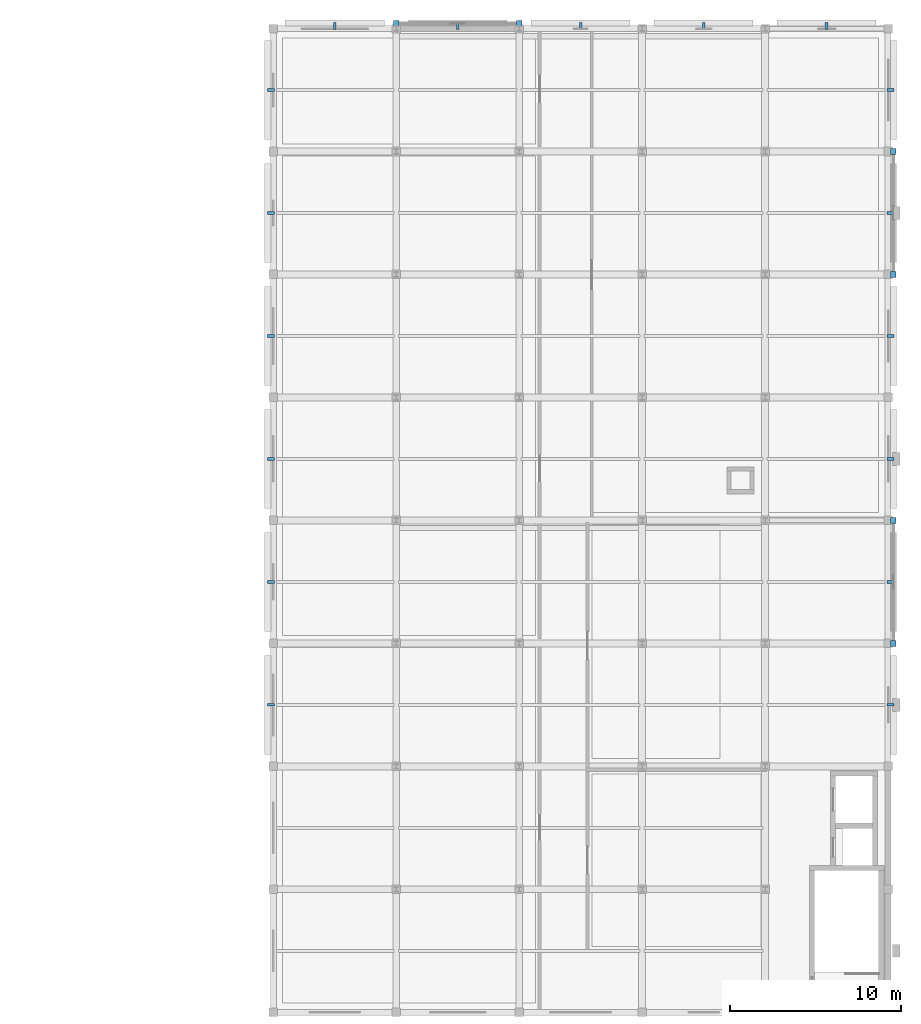
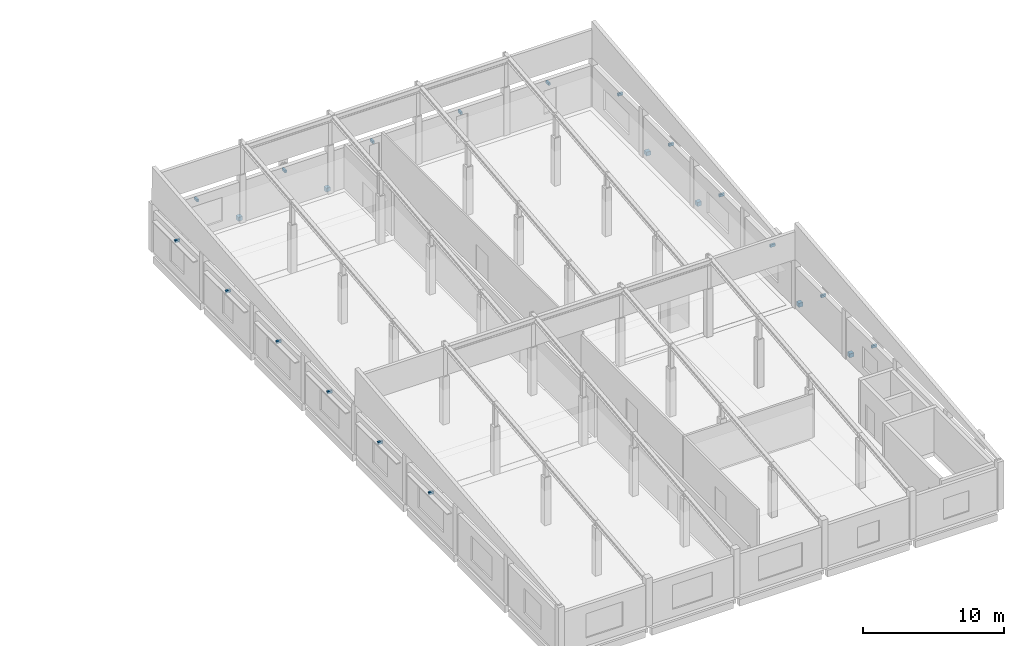
# One storey, part 29 of 33: 23 discrete accessories.
"""IFC4 building model written with IfcOpenShell, lengths in metres."""

import ifcopenshell
import ifcopenshell.guid

model = None  # the IFC model being written
_history = None  # IfcOwnerHistory: only IFC2X3 demands one
_inside = {}  # id of a spatial element -> (the spatial element, [elements in it])
_under = {}  # id of a project, library or spatial element -> (it, [spatial elements below it])
_declared = {}  # id of a project -> (the project, [libraries it declares])
_typed = {}  # id of a type object -> (the type object, [elements of that type])
_made_of = {}  # id of a material, layer set ... -> (it, [elements and type objects made of it])


def new_model(schema):
    """Start an empty IFC model of exactly this schema.

    Asked for "IFC4X3", IfcOpenShell would pick the latest addendum, in which some entities
    have other attributes; the version numbers below select the first issue.
    IFC2X3 requires an IfcOwnerHistory on every rooted entity: one is made here for all.
    """
    global model, _history
    if schema == "IFC4X3":
        model = ifcopenshell.file(schema_version=(4, 3, 0, 0))
    else:
        model = ifcopenshell.file(schema=schema)
    _inside.clear()
    _under.clear()
    _declared.clear()
    _typed.clear()
    _made_of.clear()
    _history = None
    if model.schema == "IFC2X3":
        org = make("IfcOrganization", Name="unknown")
        user = make(
            "IfcPersonAndOrganization",
            ThePerson=make("IfcPerson", FamilyName="unknown"),
            TheOrganization=org,
        )
        app = make(
            "IfcApplication",
            ApplicationDeveloper=org,
            Version="unknown",
            ApplicationFullName="unknown",
            ApplicationIdentifier="unknown",
        )
        _history = make(
            "IfcOwnerHistory",
            OwningUser=user,
            OwningApplication=app,
            ChangeAction="ADDED",
            CreationDate=0,
        )
    return model


def make(cls, **values):
    """One entity of the class cls with the attributes given. An attribute that is None is left unset."""
    return model.create_entity(
        cls, **{name: value for name, value in values.items() if value is not None}
    )


def rooted(cls, **values):
    """An entity with a GlobalId (a new one), such as an element, a storey or a relation."""
    return make(cls, GlobalId=ifcopenshell.guid.new(), OwnerHistory=_history, **values)


def si_unit(unit_type, name, prefix=None):
    """IfcSIUnit, for example si_unit("LENGTHUNIT", "METRE", prefix="MILLI")."""
    return make("IfcSIUnit", UnitType=unit_type, Prefix=prefix, Name=name)


def assignment(units):
    """IfcUnitAssignment: the units of a project."""
    return None if units is None else make("IfcUnitAssignment", Units=units)


def point(xyz):
    """IfcCartesianPoint."""
    return None if xyz is None else make("IfcCartesianPoint", Coordinates=xyz)


def direction(xyz):
    """IfcDirection."""
    return None if xyz is None else make("IfcDirection", DirectionRatios=xyz)


def frame(location, z_axis=None, x_axis=None):
    """IfcAxis2Placement3D, a coordinate frame: its origin and axes. An axis left out is left unset."""
    return make(
        "IfcAxis2Placement3D",
        Location=point(location),
        Axis=direction(z_axis),
        RefDirection=direction(x_axis),
    )


def frame_2d(location, x_axis=None):
    """IfcAxis2Placement2D, a coordinate frame in the plane: its origin and x axis."""
    return make(
        "IfcAxis2Placement2D", Location=point(location), RefDirection=direction(x_axis)
    )


def origin():
    """The frame at (0, 0, 0) with its axes left unset."""
    return frame((0.0, 0.0, 0.0))


def origin_2d():
    """The frame at (0, 0) in the plane with its x axis left unset."""
    return frame_2d((0.0, 0.0))


def place(relative_to, where):
    """IfcLocalPlacement: puts the frame where relative to a parent placement (None: the world)."""
    return make(
        "IfcLocalPlacement", PlacementRelTo=relative_to, RelativePlacement=where
    )


def context(
    kind, dimensions, precision=None, world=None, true_north=None, identifier=None
):
    """IfcGeometricRepresentationContext, for example the 3D "Model" context."""
    return make(
        "IfcGeometricRepresentationContext",
        ContextIdentifier=identifier,
        ContextType=kind,
        CoordinateSpaceDimension=dimensions,
        Precision=precision,
        WorldCoordinateSystem=world,
        TrueNorth=true_north,
    )


def subcontext(parent, identifier, kind, view, scale=None):
    """IfcGeometricRepresentationSubContext, for example "Body" below "Model"."""
    return make(
        "IfcGeometricRepresentationSubContext",
        ContextIdentifier=identifier,
        ContextType=kind,
        ParentContext=parent,
        TargetScale=scale,
        TargetView=view,
    )


def project(units=None, contexts=None):
    """IfcProject with its units and contexts."""
    return rooted(
        "IfcProject",
        Name="project",
        RepresentationContexts=contexts,
        UnitsInContext=assignment(units),
    )


def spatial(cls, under=None, at=None, **own):
    """A site, building, storey or space (cls), placed at a placement, below another one or the project."""
    s = rooted(cls, ObjectPlacement=at, **own)
    if under is not None:
        _under.setdefault(under.id(), (under, []))[1].append(s)
    return s


def profile(cls, at=None, kind="AREA", **sizes):
    """A parametric profile (cls). Its sizes go by their IFC names, for example OverallWidth=200.0."""
    return make(cls, ProfileType=kind, Position=at, **sizes)


def rectangle(**sizes):
    """IfcRectangleProfileDef."""
    return profile("IfcRectangleProfileDef", **sizes)


def extrude(swept, where, along, depth):
    """IfcExtrudedAreaSolid: the profile swept, set in the frame where, extruded along a direction by depth."""
    return make(
        "IfcExtrudedAreaSolid",
        SweptArea=swept,
        Position=where,
        ExtrudedDirection=direction(along),
        Depth=depth,
    )


def shape(context_of_items, identifier, shape_type, items):
    """IfcShapeRepresentation: the items that make up one representation, for example the "Body"."""
    return make(
        "IfcShapeRepresentation",
        ContextOfItems=context_of_items,
        RepresentationIdentifier=identifier,
        RepresentationType=shape_type,
        Items=items,
    )


def material(Name=None, Category=None):
    """IfcMaterial."""
    return make("IfcMaterial", Name=Name, Category=Category)


def made_of(thing, what):
    """Note that an element or type object is made of a material, layer set ...; save() writes the relation."""
    if what is not None:
        _made_of.setdefault(what.id(), (what, []))[1].append(thing)
    return thing


def type_object(cls, material=None, **own):
    """A type object (cls), such as IfcWallType, which elements share."""
    return made_of(rooted(cls, **own), material)


def element(
    cls,
    number,
    at=None,
    inside=None,
    cuts=None,
    type_object=None,
    material=None,
    context=None,
    identifier="Body",
    shape_type=None,
    held_by="IfcProductDefinitionShape",
    body=None,
    shapes=None,
    **own,
):
    """One element of the class cls, such as IfcWall. Its Tag is "e" and its number.

    at: its placement. inside: the storey or other place that contains it. cuts: it is an
    opening in that element (IfcRelVoidsElement). A single representation is given by context,
    identifier, shape_type and body (its items); several are given by shapes. held_by: the class
    of the entity that holds the representations. save() writes the other relations.
    """
    e = rooted(cls, Tag="e%d" % number, ObjectPlacement=at, **own)
    if body is not None:
        shapes = [shape(context, identifier, shape_type, body)]
    if shapes is not None:
        e.Representation = make(held_by, Representations=shapes)
    if inside is not None:
        _inside.setdefault(inside.id(), (inside, []))[1].append(e)
    if cuts is not None:
        rooted(
            "IfcRelVoidsElement", RelatingBuildingElement=cuts, RelatedOpeningElement=e
        )
    if type_object is not None:
        _typed.setdefault(type_object.id(), (type_object, []))[1].append(e)
    return made_of(e, material)


def aggregate(whole, parts):
    """IfcRelAggregates: a whole, such as a stair, and the parts it consists of."""
    return rooted("IfcRelAggregates", RelatingObject=whole, RelatedObjects=parts)


def save(model, path):
    """Write the relations noted so far, then the file.

    IfcRelAggregates (storeys below a building ...), IfcRelContainedInSpatialStructure (elements
    in a storey), IfcRelDefinesByType, IfcRelAssociatesMaterial and IfcRelDeclares: one each for
    every whole, place, type object, material and project.
    """
    for whole, parts in _under.values():
        aggregate(whole, parts)
    for where, things in _inside.values():
        rooted(
            "IfcRelContainedInSpatialStructure",
            RelatedElements=things,
            RelatingStructure=where,
        )
    for kind, things in _typed.values():
        rooted("IfcRelDefinesByType", RelatedObjects=things, RelatingType=kind)
    for what, things in _made_of.values():
        rooted("IfcRelAssociatesMaterial", RelatedObjects=things, RelatingMaterial=what)
    for by, libraries in _declared.values():
        rooted("IfcRelDeclares", RelatingContext=by, RelatedDefinitions=libraries)
    model.write(path)


model = new_model("IFC4")

# Units and contexts
model_context = context("Model", 3, precision=1e-05, world=origin(), true_north=direction((0.0, 1.0)))
body_context = subcontext(model_context, "Body", "Model", "MODEL_VIEW")
ifc_project = project(units=[si_unit("LENGTHUNIT", "METRE"), si_unit("AREAUNIT", "SQUARE_METRE"), si_unit("VOLUMEUNIT", "CUBIC_METRE"), si_unit("PLANEANGLEUNIT", "RADIAN"), si_unit("MASSUNIT", "GRAM", prefix="KILO")], contexts=[model_context])

# Site, building, storey
site_placement = place(None, origin())
site = spatial("IfcSite", under=ifc_project, at=site_placement, CompositionType="ELEMENT")
building_placement = place(site_placement, origin())
building = spatial("IfcBuilding", under=site, at=building_placement, Name="Valkovuoma Quantum and Materials Research Institute", CompositionType="ELEMENT")
storey_placement = place(building_placement, frame((0.0, 0.0, 25.60009765625)))
storey = spatial("IfcBuildingStorey", under=building, at=storey_placement, Name="L06", CompositionType="ELEMENT", Elevation=25.60009765625)

# Discrete accessories
ifc_material_1 = material(Name="Steel S355J2", Category="steel")
discrete_accessory_type_1 = type_object("IfcDiscreteAccessoryType", Name="Brk-BRK-01", PredefinedType="BRACKET", material=ifc_material_1)
for number, where, z_axis, x_axis, name in (
    (1, (165.739990234375, 75.60009765625, 2.93994140625), (0.0, 0.0, 1.0), (1.0, 0.0, 0.0), "L06 sunshade bracket 00722"),
    (2, (129.4599609375, 75.60009765625, 2.93994140625), (0.0, 0.0, 1.0), (1.0, 0.0, 0.0), "L06 sunshade bracket 00723"),
    (3, (165.739990234375, 82.800048828125, 2.93994140625), (0.0, 0.0, 1.0), (1.0, 0.0, 0.0), "L06 sunshade bracket 00724"),
    (4, (129.4599609375, 82.800048828125, 2.93994140625), (0.0, 0.0, 1.0), (1.0, 0.0, 0.0), "L06 sunshade bracket 00725"),
    (5, (165.739990234375, 90.0, 2.93994140625), (0.0, 0.0, 1.0), (1.0, 0.0, 0.0), "L06 sunshade bracket 00726"),
    (6, (129.4599609375, 90.0, 2.93994140625), (0.0, 0.0, 1.0), (1.0, 0.0, 0.0), "L06 sunshade bracket 00727"),
    (7, (165.739990234375, 97.199951171875, 2.93994140625), (0.0, 0.0, 1.0), (1.0, 0.0, 0.0), "L06 sunshade bracket 00728"),
    (8, (129.4599609375, 97.199951171875, 2.93994140625), (0.0, 0.0, 1.0), (1.0, 0.0, 0.0), "L06 sunshade bracket 00729"),
    (9, (165.739990234375, 104.39990234375, 2.93994140625), (0.0, 0.0, 1.0), (1.0, 0.0, 0.0), "L06 sunshade bracket 00730"),
    (10, (129.4599609375, 104.39990234375, 2.93994140625), (0.0, 0.0, 1.0), (1.0, 0.0, 0.0), "L06 sunshade bracket 00731"),
    (11, (165.739990234375, 111.60009765625, 2.93994140625), (0.0, 0.0, 1.0), (1.0, 0.0, 0.0), "L06 sunshade bracket 00732"),
    (12, (129.4599609375, 111.60009765625, 2.93994140625), (0.0, 0.0, 1.0), (1.0, 0.0, 0.0), "L06 sunshade bracket 00733"),
):
    element("IfcDiscreteAccessory", number, at=place(storey_placement, frame(where, z_axis=z_axis, x_axis=x_axis)), inside=storey, type_object=discrete_accessory_type_1, Name=name, PredefinedType="BRACKET", context=body_context, shape_type="SweptSolid", body=[
        extrude(rectangle(XDim=0.39990234375, YDim=0.159912109375, at=origin_2d()), origin(), (0.0, 0.0, 1.0), 0.219970703125),
    ])
for number, where, z_axis, x_axis, name in (
    (13, (133.199951171875, 115.340087890625, 2.93994140625), (0.0, 0.0, 1.0), (1.0, 0.0, 0.0), "L06 north sunshade bracket 00734"),
    (14, (140.39990234375, 115.340087890625, 2.93994140625), (0.0, 0.0, 1.0), (1.0, 0.0, 0.0), "L06 north sunshade bracket 00735"),
    (15, (147.60009765625, 115.340087890625, 2.93994140625), (0.0, 0.0, 1.0), (1.0, 0.0, 0.0), "L06 north sunshade bracket 00736"),
    (16, (154.800048828125, 115.340087890625, 2.93994140625), (0.0, 0.0, 1.0), (1.0, 0.0, 0.0), "L06 north sunshade bracket 00737"),
    (17, (162.0, 115.340087890625, 2.93994140625), (0.0, 0.0, 1.0), (1.0, 0.0, 0.0), "L06 north sunshade bracket 00738"),
):
    element("IfcDiscreteAccessory", number, at=place(storey_placement, frame(where, z_axis=z_axis, x_axis=x_axis)), inside=storey, type_object=discrete_accessory_type_1, Name=name, PredefinedType="BRACKET", context=body_context, shape_type="SweptSolid", body=[
        extrude(rectangle(XDim=0.159912109375, YDim=0.39990234375, at=origin_2d()), origin(), (0.0, 0.0, 1.0), 0.219970703125),
    ])
ifc_material_2 = material(Name="Steel S355J2", Category="steel")
discrete_accessory_type_2 = type_object("IfcDiscreteAccessoryType", Name="Conn-END-01", PredefinedType="BRACKET", material=ifc_material_2)
for number, where, z_axis, x_axis, name in (
    (18, (165.89990234375, 79.199951171875, -0.0703125), (0.0, 0.0, 1.0), (1.0, 0.0, 0.0), "L06 brace end connection assembly 0300"),
    (19, (165.89990234375, 86.39990234375, -0.0703125), (0.0, 0.0, 1.0), (1.0, 0.0, 0.0), "L06 brace end connection assembly 0301"),
    (20, (165.89990234375, 100.800048828125, -0.0703125), (0.0, 0.0, 1.0), (1.0, 0.0, 0.0), "L06 brace end connection assembly 0312"),
    (21, (165.89990234375, 108.0, -0.0703125), (0.0, 0.0, 1.0), (1.0, 0.0, 0.0), "L06 brace end connection assembly 0313"),
    (22, (136.800048828125, 115.5, -0.0703125), (0.0, 0.0, 1.0), (1.0, 0.0, 0.0), "L06 brace end connection assembly 0324"),
    (23, (144.0, 115.5, -0.0703125), (0.0, 0.0, 1.0), (1.0, 0.0, 0.0), "L06 brace end connection assembly 0325"),
):
    element("IfcDiscreteAccessory", number, at=place(storey_placement, frame(where, z_axis=z_axis, x_axis=x_axis)), inside=storey, type_object=discrete_accessory_type_2, Name=name, PredefinedType="BRACKET", context=body_context, shape_type="SweptSolid", body=[
        extrude(rectangle(XDim=0.340087890625, YDim=0.340087890625, at=origin_2d()), origin(), (0.0, 0.0, 1.0), 0.340087890625),
    ])

save(model, "model.ifc")
